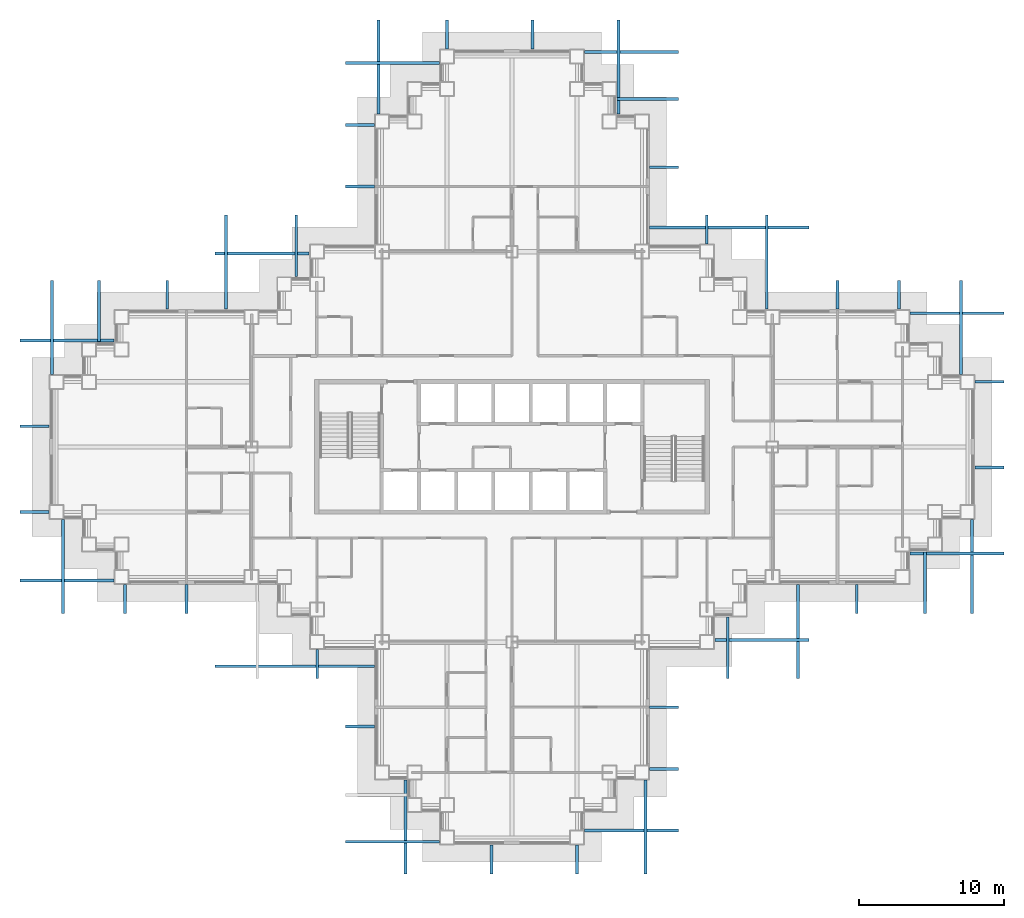
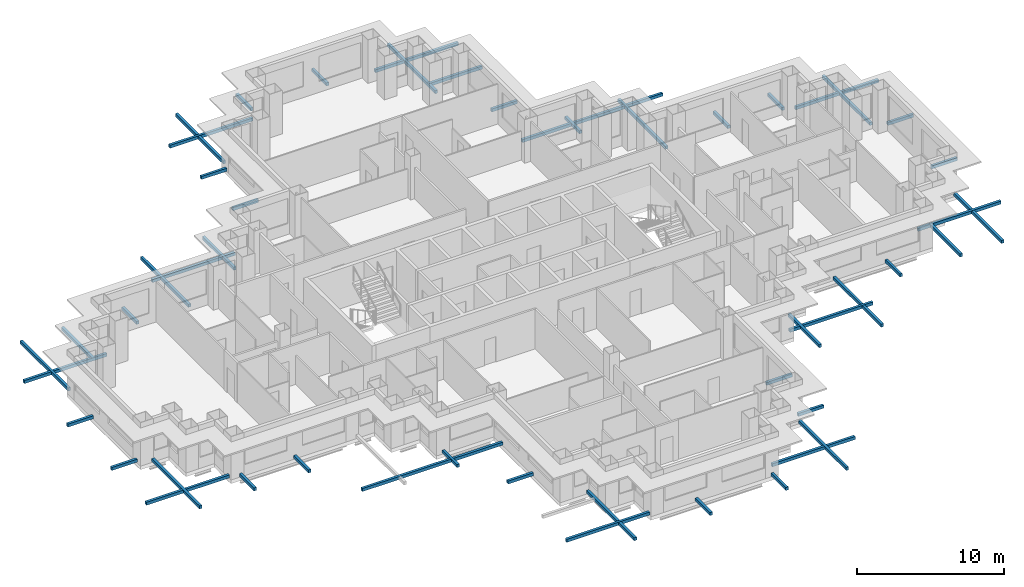
# One storey, part 10 of 15: 50 discrete accessories.
"""IFC4 building model written with IfcOpenShell, lengths in metres."""

from ifc_helpers import new_model, si_unit, direction, frame, origin, origin_2d, place, context, subcontext, project, spatial, rectangle, extrude, material, type_object, element, save


model = new_model("IFC4")

# Units and contexts
model_context = context("Model", 3, precision=1e-05, world=origin(), true_north=direction((0.0, 1.0)))
body_context = subcontext(model_context, "Body", "Model", "MODEL_VIEW")
ifc_project = project(units=[si_unit("LENGTHUNIT", "METRE"), si_unit("AREAUNIT", "SQUARE_METRE"), si_unit("VOLUMEUNIT", "CUBIC_METRE"), si_unit("PLANEANGLEUNIT", "RADIAN"), si_unit("MASSUNIT", "GRAM", prefix="KILO")], contexts=[model_context])

# Site, building, storey
site_placement = place(None, origin())
site = spatial("IfcSite", under=ifc_project, at=site_placement, CompositionType="ELEMENT")
building_placement = place(site_placement, origin())
building = spatial("IfcBuilding", under=site, at=building_placement, Name="Caravel Reach Hotel and Residences", CompositionType="ELEMENT")
storey_placement = place(building_placement, frame((0.0, 0.0, 60.0)))
storey = spatial("IfcBuildingStorey", under=building, at=storey_placement, Name="L13", CompositionType="ELEMENT", Elevation=60.0)

# Discrete accessories
ifc_material = material(Name="Black powder-coated aluminium", Category="aluminium")
discrete_accessory_type = type_object("IfcDiscreteAccessoryType", Name="BR1 Screen bracket", PredefinedType="BRACKET", material=ifc_material)
discrete_accessory_1_placement = place(storey_placement, frame((20.97509765625, 7.66162109375, 0.10009765625), z_axis=(0.0, 0.0, 1.0), x_axis=(-1.0, 0.0, 0.0)))
element("IfcDiscreteAccessory", 1, at=discrete_accessory_1_placement, inside=storey, type_object=discrete_accessory_type, Name="Screen bracket L13 1.1.2", PredefinedType="BRACKET", context=body_context, shape_type="SweptSolid", body=[
    extrude(rectangle(XDim=2.0, YDim=0.199951171875, at=origin_2d()), origin(), (0.0, 0.0, 1.0), 0.25),
])
for number, where, z_axis, x_axis, name in (
    (2, (23.22509765625, -0.304931640625, 0.10009765625), (0.0, 0.0, 1.0), (-1.0, 0.0, 0.0), "Screen bracket L13 1.3.2"),
    (3, (24.13134765625, 0.72509765625, 0.10009765625), (0.0, 0.0, 1.0), (0.0, -1.0, 0.0), "Screen bracket L13 2.1.2"),
):
    element("IfcDiscreteAccessory", number, at=place(storey_placement, frame(where, z_axis=z_axis, x_axis=x_axis)), inside=storey, type_object=discrete_accessory_type, Name=name, PredefinedType="BRACKET", context=body_context, shape_type="SweptSolid", body=[
        extrude(rectangle(XDim=6.5, YDim=0.199951171875, at=origin_2d()), origin(), (0.0, 0.0, 1.0), 0.25),
    ])
for number, where, z_axis, x_axis, name in (
    (4, (30.06884765625, -1.52490234375, 0.10009765625), (0.0, 0.0, 1.0), (0.0, -1.0, 0.0), "Screen bracket L13 2.2.2"),
    (5, (36.00634765625, -1.52490234375, 0.10009765625), (0.0, 0.0, 1.0), (0.0, -1.0, 0.0), "Screen bracket L13 2.3.2"),
):
    element("IfcDiscreteAccessory", number, at=place(storey_placement, frame(where, z_axis=z_axis, x_axis=x_axis)), inside=storey, type_object=discrete_accessory_type, Name=name, PredefinedType="BRACKET", context=body_context, shape_type="SweptSolid", body=[
        extrude(rectangle(XDim=2.0, YDim=0.199951171875, at=origin_2d()), origin(), (0.0, 0.0, 1.0), 0.25),
    ])
for number, where, z_axis, x_axis, name in (
    (6, (40.74365234375, 0.72509765625, 0.10009765625), (0.0, 0.0, 1.0), (0.0, -1.0, 0.0), "Screen bracket L13 2.4.2"),
    (7, (39.77490234375, 0.461669921875, 0.10009765625), (0.0, 0.0, 1.0), (1.0, 0.0, 0.0), "Screen bracket L13 3.1.2"),
):
    element("IfcDiscreteAccessory", number, at=place(storey_placement, frame(where, z_axis=z_axis, x_axis=x_axis)), inside=storey, type_object=discrete_accessory_type, Name=name, PredefinedType="BRACKET", context=body_context, shape_type="SweptSolid", body=[
        extrude(rectangle(XDim=6.5, YDim=0.199951171875, at=origin_2d()), origin(), (0.0, 0.0, 1.0), 0.25),
    ])
for number, where, z_axis, x_axis, name in (
    (8, (42.02490234375, 4.728271484375, 0.10009765625), (0.0, 0.0, 1.0), (1.0, 0.0, 0.0), "Screen bracket L13 3.2.2"),
    (9, (42.02490234375, 8.9951171875, 0.10009765625), (0.0, 0.0, 1.0), (1.0, 0.0, 0.0), "Screen bracket L13 3.3.2"),
):
    element("IfcDiscreteAccessory", number, at=place(storey_placement, frame(where, z_axis=z_axis, x_axis=x_axis)), inside=storey, type_object=discrete_accessory_type, Name=name, PredefinedType="BRACKET", context=body_context, shape_type="SweptSolid", body=[
        extrude(rectangle(XDim=2.0, YDim=0.199951171875, at=origin_2d()), origin(), (0.0, 0.0, 1.0), 0.25),
    ])
discrete_accessory_2_placement = place(storey_placement, frame((46.419921875, 13.10009765625, 0.10009765625), z_axis=(0.0, 0.0, 1.0), x_axis=(0.0, -1.0, 0.0)))
element("IfcDiscreteAccessory", 10, at=discrete_accessory_2_placement, inside=storey, type_object=discrete_accessory_type, Name="Screen bracket L13 4.1.2", PredefinedType="BRACKET", context=body_context, shape_type="SweptSolid", body=[
    extrude(rectangle(XDim=4.25, YDim=0.199951171875, at=origin_2d()), origin(), (0.0, 0.0, 1.0), 0.25),
])
for number, where, z_axis, x_axis, name in (
    (11, (51.27001953125, 14.22509765625, 0.10009765625), (0.0, 0.0, 1.0), (0.0, -1.0, 0.0), "Screen bracket L13 4.2.2"),
    (12, (48.77490234375, 13.635009765625, 0.10009765625), (0.0, 0.0, 1.0), (1.0, 0.0, 0.0), "Screen bracket L13 5.1.2"),
):
    element("IfcDiscreteAccessory", number, at=place(storey_placement, frame(where, z_axis=z_axis, x_axis=x_axis)), inside=storey, type_object=discrete_accessory_type, Name=name, PredefinedType="BRACKET", context=body_context, shape_type="SweptSolid", body=[
        extrude(rectangle(XDim=6.5, YDim=0.199951171875, at=origin_2d()), origin(), (0.0, 0.0, 1.0), 0.25),
    ])
discrete_accessory_3_placement = place(storey_placement, frame((55.33837890625, 16.47509765625, 0.10009765625), z_axis=(0.0, 0.0, 1.0), x_axis=(0.0, -1.0, 0.0)))
element("IfcDiscreteAccessory", 13, at=discrete_accessory_3_placement, inside=storey, type_object=discrete_accessory_type, Name="Screen bracket L13 6.1.2", PredefinedType="BRACKET", context=body_context, shape_type="SweptSolid", body=[
    extrude(rectangle(XDim=2.0, YDim=0.199951171875, at=origin_2d()), origin(), (0.0, 0.0, 1.0), 0.25),
])
discrete_accessory_4_placement = place(storey_placement, frame((60.07177734375, 17.60009765625, 0.10009765625), z_axis=(0.0, 0.0, 1.0), x_axis=(0.0, -1.0, 0.0)))
element("IfcDiscreteAccessory", 14, at=discrete_accessory_4_placement, inside=storey, type_object=discrete_accessory_type, Name="Screen bracket L13 6.2.2", PredefinedType="BRACKET", context=body_context, shape_type="SweptSolid", body=[
    extrude(rectangle(XDim=4.25, YDim=0.199951171875, at=origin_2d()), origin(), (0.0, 0.0, 1.0), 0.25),
])
for number, where, z_axis, x_axis, name in (
    (15, (63.304931640625, 18.72509765625, 0.10009765625), (0.0, 0.0, 1.0), (0.0, -1.0, 0.0), "Screen bracket L13 6.3.2"),
    (16, (62.27490234375, 19.63134765625, 0.10009765625), (0.0, 0.0, 1.0), (1.0, 0.0, 0.0), "Screen bracket L13 7.1.2"),
):
    element("IfcDiscreteAccessory", number, at=place(storey_placement, frame(where, z_axis=z_axis, x_axis=x_axis)), inside=storey, type_object=discrete_accessory_type, Name=name, PredefinedType="BRACKET", context=body_context, shape_type="SweptSolid", body=[
        extrude(rectangle(XDim=6.5, YDim=0.199951171875, at=origin_2d()), origin(), (0.0, 0.0, 1.0), 0.25),
    ])
for number, where, z_axis, x_axis, name in (
    (17, (64.52490234375, 25.56884765625, 0.10009765625), (0.0, 0.0, 1.0), (1.0, 0.0, 0.0), "Screen bracket L13 7.2.2"),
    (18, (64.52490234375, 31.50634765625, 0.10009765625), (0.0, 0.0, 1.0), (1.0, 0.0, 0.0), "Screen bracket L13 7.3.2"),
):
    element("IfcDiscreteAccessory", number, at=place(storey_placement, frame(where, z_axis=z_axis, x_axis=x_axis)), inside=storey, type_object=discrete_accessory_type, Name=name, PredefinedType="BRACKET", context=body_context, shape_type="SweptSolid", body=[
        extrude(rectangle(XDim=2.0, YDim=0.199951171875, at=origin_2d()), origin(), (0.0, 0.0, 1.0), 0.25),
    ])
for number, where, z_axis, x_axis, name in (
    (19, (62.27490234375, 36.24365234375, 0.10009765625), (0.0, 0.0, 1.0), (1.0, 0.0, 0.0), "Screen bracket L13 7.4.2"),
    (20, (62.538330078125, 35.27490234375, 0.10009765625), (0.0, 0.0, 1.0), (0.0, 1.0, 0.0), "Screen bracket L13 8.1.2"),
):
    element("IfcDiscreteAccessory", number, at=place(storey_placement, frame(where, z_axis=z_axis, x_axis=x_axis)), inside=storey, type_object=discrete_accessory_type, Name=name, PredefinedType="BRACKET", context=body_context, shape_type="SweptSolid", body=[
        extrude(rectangle(XDim=6.5, YDim=0.199951171875, at=origin_2d()), origin(), (0.0, 0.0, 1.0), 0.25),
    ])
for number, where, z_axis, x_axis, name in (
    (21, (58.271728515625, 37.52490234375, 0.10009765625), (0.0, 0.0, 1.0), (0.0, 1.0, 0.0), "Screen bracket L13 8.2.2"),
    (22, (54.0048828125, 37.52490234375, 0.10009765625), (0.0, 0.0, 1.0), (0.0, 1.0, 0.0), "Screen bracket L13 8.3.2"),
):
    element("IfcDiscreteAccessory", number, at=place(storey_placement, frame(where, z_axis=z_axis, x_axis=x_axis)), inside=storey, type_object=discrete_accessory_type, Name=name, PredefinedType="BRACKET", context=body_context, shape_type="SweptSolid", body=[
        extrude(rectangle(XDim=2.0, YDim=0.199951171875, at=origin_2d()), origin(), (0.0, 0.0, 1.0), 0.25),
    ])
discrete_accessory_5_placement = place(storey_placement, frame((46.52490234375, 42.1650390625, 0.10009765625), z_axis=(0.0, 0.0, 1.0), x_axis=(1.0, 0.0, 0.0)))
element("IfcDiscreteAccessory", 23, at=discrete_accessory_5_placement, inside=storey, type_object=discrete_accessory_type, Name="Screen bracket L13 9.1.2", PredefinedType="BRACKET", context=body_context, shape_type="SweptSolid", body=[
    extrude(rectangle(XDim=11.0, YDim=0.199951171875, at=origin_2d()), origin(), (0.0, 0.0, 1.0), 0.25),
])
discrete_accessory_6_placement = place(storey_placement, frame((49.1201171875, 39.77490234375, 0.10009765625), z_axis=(0.0, 0.0, 1.0), x_axis=(0.0, 1.0, 0.0)))
element("IfcDiscreteAccessory", 24, at=discrete_accessory_6_placement, inside=storey, type_object=discrete_accessory_type, Name="Screen bracket L13 10.1.2", PredefinedType="BRACKET", context=body_context, shape_type="SweptSolid", body=[
    extrude(rectangle(XDim=6.5, YDim=0.199951171875, at=origin_2d()), origin(), (0.0, 0.0, 1.0), 0.25),
])
for number, where, z_axis, x_axis, name in (
    (25, (44.969970703125, 42.02490234375, 0.10009765625), (0.0, 0.0, 1.0), (0.0, 1.0, 0.0), "Screen bracket L13 10.2.2"),
    (26, (42.02490234375, 46.33837890625, 0.10009765625), (0.0, 0.0, 1.0), (1.0, 0.0, 0.0), "Screen bracket L13 11.1.2"),
):
    element("IfcDiscreteAccessory", number, at=place(storey_placement, frame(where, z_axis=z_axis, x_axis=x_axis)), inside=storey, type_object=discrete_accessory_type, Name=name, PredefinedType="BRACKET", context=body_context, shape_type="SweptSolid", body=[
        extrude(rectangle(XDim=2.0, YDim=0.199951171875, at=origin_2d()), origin(), (0.0, 0.0, 1.0), 0.25),
    ])
discrete_accessory_7_placement = place(storey_placement, frame((40.89990234375, 51.07177734375, 0.10009765625), z_axis=(0.0, 0.0, 1.0), x_axis=(1.0, 0.0, 0.0)))
element("IfcDiscreteAccessory", 27, at=discrete_accessory_7_placement, inside=storey, type_object=discrete_accessory_type, Name="Screen bracket L13 11.2.2", PredefinedType="BRACKET", context=body_context, shape_type="SweptSolid", body=[
    extrude(rectangle(XDim=4.25, YDim=0.199951171875, at=origin_2d()), origin(), (0.0, 0.0, 1.0), 0.25),
])
for number, where, z_axis, x_axis, name in (
    (28, (39.77490234375, 54.304931640625, 0.10009765625), (0.0, 0.0, 1.0), (1.0, 0.0, 0.0), "Screen bracket L13 11.3.2"),
    (29, (38.86865234375, 53.27490234375, 0.10009765625), (0.0, 0.0, 1.0), (0.0, 1.0, 0.0), "Screen bracket L13 12.1.2"),
):
    element("IfcDiscreteAccessory", number, at=place(storey_placement, frame(where, z_axis=z_axis, x_axis=x_axis)), inside=storey, type_object=discrete_accessory_type, Name=name, PredefinedType="BRACKET", context=body_context, shape_type="SweptSolid", body=[
        extrude(rectangle(XDim=6.5, YDim=0.199951171875, at=origin_2d()), origin(), (0.0, 0.0, 1.0), 0.25),
    ])
for number, where, z_axis, x_axis, name in (
    (30, (32.93115234375, 55.52490234375, 0.10009765625), (0.0, 0.0, 1.0), (0.0, 1.0, 0.0), "Screen bracket L13 12.2.2"),
    (31, (26.99365234375, 55.52490234375, 0.10009765625), (0.0, 0.0, 1.0), (0.0, 1.0, 0.0), "Screen bracket L13 12.3.2"),
):
    element("IfcDiscreteAccessory", number, at=place(storey_placement, frame(where, z_axis=z_axis, x_axis=x_axis)), inside=storey, type_object=discrete_accessory_type, Name=name, PredefinedType="BRACKET", context=body_context, shape_type="SweptSolid", body=[
        extrude(rectangle(XDim=2.0, YDim=0.199951171875, at=origin_2d()), origin(), (0.0, 0.0, 1.0), 0.25),
    ])
for number, where, z_axis, x_axis, name in (
    (32, (22.25634765625, 53.27490234375, 0.10009765625), (0.0, 0.0, 1.0), (0.0, 1.0, 0.0), "Screen bracket L13 12.4.2"),
    (33, (23.22509765625, 53.538330078125, 0.10009765625), (0.0, 0.0, 1.0), (-1.0, 0.0, 0.0), "Screen bracket L13 13.1.2"),
):
    element("IfcDiscreteAccessory", number, at=place(storey_placement, frame(where, z_axis=z_axis, x_axis=x_axis)), inside=storey, type_object=discrete_accessory_type, Name=name, PredefinedType="BRACKET", context=body_context, shape_type="SweptSolid", body=[
        extrude(rectangle(XDim=6.5, YDim=0.199951171875, at=origin_2d()), origin(), (0.0, 0.0, 1.0), 0.25),
    ])
for number, where, z_axis, x_axis, name in (
    (34, (20.97509765625, 49.271728515625, 0.10009765625), (0.0, 0.0, 1.0), (-1.0, 0.0, 0.0), "Screen bracket L13 13.2.2"),
    (35, (20.97509765625, 45.0048828125, 0.10009765625), (0.0, 0.0, 1.0), (-1.0, 0.0, 0.0), "Screen bracket L13 13.3.2"),
):
    element("IfcDiscreteAccessory", number, at=place(storey_placement, frame(where, z_axis=z_axis, x_axis=x_axis)), inside=storey, type_object=discrete_accessory_type, Name=name, PredefinedType="BRACKET", context=body_context, shape_type="SweptSolid", body=[
        extrude(rectangle(XDim=2.0, YDim=0.199951171875, at=origin_2d()), origin(), (0.0, 0.0, 1.0), 0.25),
    ])
discrete_accessory_8_placement = place(storey_placement, frame((16.580078125, 40.89990234375, 0.10009765625), z_axis=(0.0, 0.0, 1.0), x_axis=(0.0, 1.0, 0.0)))
element("IfcDiscreteAccessory", 36, at=discrete_accessory_8_placement, inside=storey, type_object=discrete_accessory_type, Name="Screen bracket L13 14.1.2", PredefinedType="BRACKET", context=body_context, shape_type="SweptSolid", body=[
    extrude(rectangle(XDim=4.25, YDim=0.199951171875, at=origin_2d()), origin(), (0.0, 0.0, 1.0), 0.25),
])
for number, where, z_axis, x_axis, name in (
    (37, (11.72998046875, 39.77490234375, 0.10009765625), (0.0, 0.0, 1.0), (0.0, 1.0, 0.0), "Screen bracket L13 14.2.2"),
    (38, (14.22509765625, 40.364990234375, 0.10009765625), (0.0, 0.0, 1.0), (-1.0, 0.0, 0.0), "Screen bracket L13 15.1.2"),
):
    element("IfcDiscreteAccessory", number, at=place(storey_placement, frame(where, z_axis=z_axis, x_axis=x_axis)), inside=storey, type_object=discrete_accessory_type, Name=name, PredefinedType="BRACKET", context=body_context, shape_type="SweptSolid", body=[
        extrude(rectangle(XDim=6.5, YDim=0.199951171875, at=origin_2d()), origin(), (0.0, 0.0, 1.0), 0.25),
    ])
discrete_accessory_9_placement = place(storey_placement, frame((7.66162109375, 37.52490234375, 0.10009765625), z_axis=(0.0, 0.0, 1.0), x_axis=(0.0, 1.0, 0.0)))
element("IfcDiscreteAccessory", 39, at=discrete_accessory_9_placement, inside=storey, type_object=discrete_accessory_type, Name="Screen bracket L13 16.1.2", PredefinedType="BRACKET", context=body_context, shape_type="SweptSolid", body=[
    extrude(rectangle(XDim=2.0, YDim=0.199951171875, at=origin_2d()), origin(), (0.0, 0.0, 1.0), 0.25),
])
discrete_accessory_10_placement = place(storey_placement, frame((2.92822265625, 36.39990234375, 0.10009765625), z_axis=(0.0, 0.0, 1.0), x_axis=(0.0, 1.0, 0.0)))
element("IfcDiscreteAccessory", 40, at=discrete_accessory_10_placement, inside=storey, type_object=discrete_accessory_type, Name="Screen bracket L13 16.2.2", PredefinedType="BRACKET", context=body_context, shape_type="SweptSolid", body=[
    extrude(rectangle(XDim=4.25, YDim=0.199951171875, at=origin_2d()), origin(), (0.0, 0.0, 1.0), 0.25),
])
for number, where, z_axis, x_axis, name in (
    (41, (-0.304931640625, 35.27490234375, 0.10009765625), (0.0, 0.0, 1.0), (0.0, 1.0, 0.0), "Screen bracket L13 16.3.2"),
    (42, (0.72509765625, 34.36865234375, 0.10009765625), (0.0, 0.0, 1.0), (-1.0, 0.0, 0.0), "Screen bracket L13 17.1.2"),
):
    element("IfcDiscreteAccessory", number, at=place(storey_placement, frame(where, z_axis=z_axis, x_axis=x_axis)), inside=storey, type_object=discrete_accessory_type, Name=name, PredefinedType="BRACKET", context=body_context, shape_type="SweptSolid", body=[
        extrude(rectangle(XDim=6.5, YDim=0.199951171875, at=origin_2d()), origin(), (0.0, 0.0, 1.0), 0.25),
    ])
for number, where, z_axis, x_axis, name in (
    (43, (-1.52490234375, 28.43115234375, 0.10009765625), (0.0, 0.0, 1.0), (-1.0, 0.0, 0.0), "Screen bracket L13 17.2.2"),
    (44, (-1.52490234375, 22.49365234375, 0.10009765625), (0.0, 0.0, 1.0), (-1.0, 0.0, 0.0), "Screen bracket L13 17.3.2"),
):
    element("IfcDiscreteAccessory", number, at=place(storey_placement, frame(where, z_axis=z_axis, x_axis=x_axis)), inside=storey, type_object=discrete_accessory_type, Name=name, PredefinedType="BRACKET", context=body_context, shape_type="SweptSolid", body=[
        extrude(rectangle(XDim=2.0, YDim=0.199951171875, at=origin_2d()), origin(), (0.0, 0.0, 1.0), 0.25),
    ])
for number, where, z_axis, x_axis, name in (
    (45, (0.72509765625, 17.75634765625, 0.10009765625), (0.0, 0.0, 1.0), (-1.0, 0.0, 0.0), "Screen bracket L13 17.4.2"),
    (46, (0.461669921875, 18.72509765625, 0.10009765625), (0.0, 0.0, 1.0), (0.0, -1.0, 0.0), "Screen bracket L13 18.1.2"),
):
    element("IfcDiscreteAccessory", number, at=place(storey_placement, frame(where, z_axis=z_axis, x_axis=x_axis)), inside=storey, type_object=discrete_accessory_type, Name=name, PredefinedType="BRACKET", context=body_context, shape_type="SweptSolid", body=[
        extrude(rectangle(XDim=6.5, YDim=0.199951171875, at=origin_2d()), origin(), (0.0, 0.0, 1.0), 0.25),
    ])
for number, where, z_axis, x_axis, name in (
    (47, (4.728271484375, 16.47509765625, 0.10009765625), (0.0, 0.0, 1.0), (0.0, -1.0, 0.0), "Screen bracket L13 18.2.2"),
    (48, (8.9951171875, 16.47509765625, 0.10009765625), (0.0, 0.0, 1.0), (0.0, -1.0, 0.0), "Screen bracket L13 18.3.2"),
):
    element("IfcDiscreteAccessory", number, at=place(storey_placement, frame(where, z_axis=z_axis, x_axis=x_axis)), inside=storey, type_object=discrete_accessory_type, Name=name, PredefinedType="BRACKET", context=body_context, shape_type="SweptSolid", body=[
        extrude(rectangle(XDim=2.0, YDim=0.199951171875, at=origin_2d()), origin(), (0.0, 0.0, 1.0), 0.25),
    ])
discrete_accessory_11_placement = place(storey_placement, frame((16.47509765625, 11.8349609375, 0.10009765625), z_axis=(0.0, 0.0, 1.0), x_axis=(-1.0, 0.0, 0.0)))
element("IfcDiscreteAccessory", 49, at=discrete_accessory_11_placement, inside=storey, type_object=discrete_accessory_type, Name="Screen bracket L13 19.1.2", PredefinedType="BRACKET", context=body_context, shape_type="SweptSolid", body=[
    extrude(rectangle(XDim=11.0, YDim=0.199951171875, at=origin_2d()), origin(), (0.0, 0.0, 1.0), 0.25),
])
discrete_accessory_12_placement = place(storey_placement, frame((18.030029296875, 11.97509765625, 0.10009765625), z_axis=(0.0, 0.0, 1.0), x_axis=(0.0, -1.0, 0.0)))
element("IfcDiscreteAccessory", 50, at=discrete_accessory_12_placement, inside=storey, type_object=discrete_accessory_type, Name="Screen bracket L13 20.2.2", PredefinedType="BRACKET", context=body_context, shape_type="SweptSolid", body=[
    extrude(rectangle(XDim=2.0, YDim=0.199951171875, at=origin_2d()), origin(), (0.0, 0.0, 1.0), 0.25),
])

save(model, "model.ifc")
